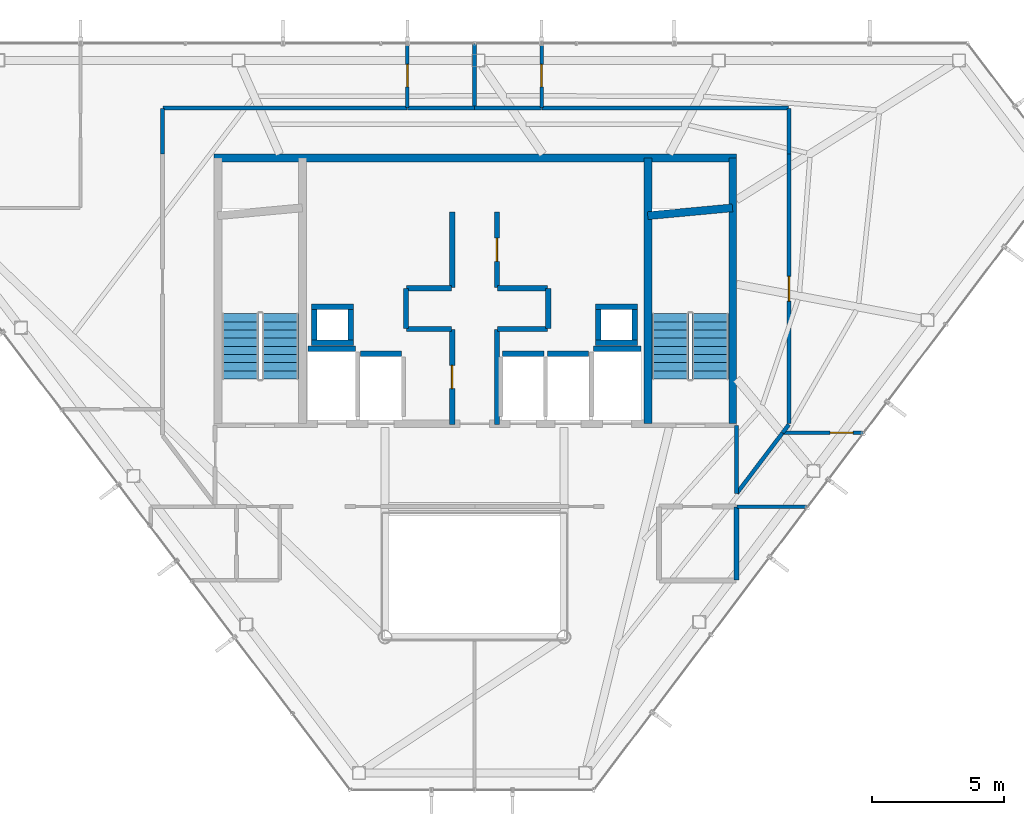
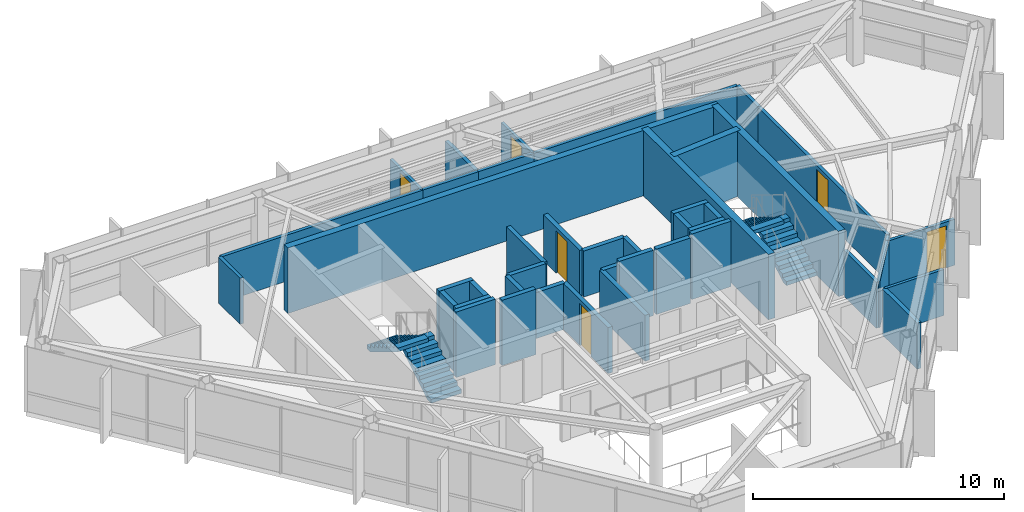
# One storey, part 22 of 24: 43 walls, 6 doors, 4 stair flights, 6 openings, 2 elements without a shape of their own.
"""IFC4 building model written with IfcOpenShell, lengths in metres."""

from ifc_helpers import new_model, si_unit, direction, frame, frame_2d, origin, place, context, subcontext, project, spatial, polyline, rectangle, outline, extrude, material, layer, layer_set, type_object, element, fill, aggregate, save


model = new_model("IFC4")

# Units and contexts
model_context = context("Model", 3, precision=1e-05, world=origin(), true_north=direction((0.0, 1.0)))
body_context = subcontext(model_context, "Body", "Model", "MODEL_VIEW")
ifc_project = project(units=[si_unit("LENGTHUNIT", "METRE"), si_unit("AREAUNIT", "SQUARE_METRE"), si_unit("VOLUMEUNIT", "CUBIC_METRE"), si_unit("PLANEANGLEUNIT", "RADIAN"), si_unit("MASSUNIT", "GRAM", prefix="KILO")], contexts=[model_context])

# Site, building, storey
site_placement = place(None, origin())
site = spatial("IfcSite", under=ifc_project, at=site_placement, CompositionType="ELEMENT")
building_placement = place(site_placement, origin())
building = spatial("IfcBuilding", under=site, at=building_placement, Name="Zarrinselat Tower", CompositionType="ELEMENT")
storey_placement = place(building_placement, frame((0.0, 0.0, 272.0)))
storey = spatial("IfcBuildingStorey", under=building, at=storey_placement, Name="L69", CompositionType="ELEMENT", Elevation=272.0)

# Walls
ifc_material_1 = material(Name="Fire-Rated Gypsum Board Partition", Category="gypsum")
ifc_layer_1 = layer(ifc_material_1, 0.1650390625)
ifc_layer_set_1 = layer_set([ifc_layer_1], Name="Fire-Rated Gypsum Board Partition")
wall_type_1 = type_object("IfcWallType", Name="WAL-PART-DEMISE", PredefinedType="PARTITIONING", material=ifc_layer_set_1)
wall_1_placement = place(storey_placement, frame((38.39990234375, 45.31005859375, 0.0), z_axis=(0.0, 0.0, 1.0), x_axis=(0.0, 1.0, 0.0)))
element("IfcWall", 1, at=wall_1_placement, inside=storey, type_object=wall_type_1, Name="L69 Partition Wall 49", PredefinedType="PARTITIONING", context=body_context, shape_type="SweptSolid", body=[
    extrude(rectangle(XDim=2.425048828125, YDim=0.1650390625, at=frame_2d((1.21240234375, 0.0))), origin(), (0.0, 0.0, 1.0), 2.235107421875),
])
ifc_material_2 = material(Name="Concrete C40/50", Category="concrete")
ifc_layer_2 = layer(ifc_material_2, 0.18994140625)
ifc_layer_set_2 = layer_set([ifc_layer_2], Name="Concrete C40/50")
wall_type_2 = type_object("IfcWallType", Name="WAL-PART-EI120", PredefinedType="PARTITIONING", material=ifc_layer_set_2)
wall_2_placement = place(storey_placement, frame((48.35009765625, 27.3701171875, 0.0), z_axis=(0.0, 0.0, 1.0), x_axis=(0.0, 1.0, 0.0)))
element("IfcWall", 2, at=wall_2_placement, inside=storey, type_object=wall_type_2, Name="L69 Partition Wall 21", PredefinedType="PARTITIONING", context=body_context, shape_type="SweptSolid", body=[
    extrude(rectangle(XDim=2.759765625, YDim=0.18994140625, at=frame_2d((1.3798828125, 0.0))), origin(), (0.0, 0.0, 1.0), 2.235107421875),
])
ifc_material_3 = material(Name="Fire-Rated Gypsum Board Partition", Category="gypsum")
ifc_layer_3 = layer(ifc_material_3, 0.14990234375)
ifc_layer_set_3 = layer_set([ifc_layer_3], Name="Fire-Rated Gypsum Board Partition")
wall_type_3 = type_object("IfcWallType", Name="WAL-PART-EI60", PredefinedType="PARTITIONING", material=ifc_layer_set_3)
wall_3_placement = place(storey_placement, frame((48.35009765625, 30.642578125, 0.0), z_axis=(0.0, 0.0, 1.0), x_axis=(0.0, 1.0, 0.0)))
element("IfcWall", 3, at=wall_3_placement, inside=storey, type_object=wall_type_3, Name="L69 Partition Wall 13", PredefinedType="PARTITIONING", context=body_context, shape_type="SweptSolid", body=[
    extrude(rectangle(XDim=2.58740234375, YDim=0.14990234375, at=frame_2d((1.293701171875, 0.0))), origin(), (0.0, 0.0, 1.0), 2.235107421875),
])
wall_4_placement = place(storey_placement, frame((26.550048828125, 43.550048828125, 0.0), z_axis=(0.0, 0.0, 1.0), x_axis=(0.0, 1.0, 0.0)))
element("IfcWall", 4, at=wall_4_placement, inside=storey, type_object=wall_type_3, Name="L69 Partition Wall 23", PredefinedType="PARTITIONING", context=body_context, shape_type="SweptSolid", body=[
    extrude(rectangle(XDim=1.719970703125, YDim=0.14990234375, at=frame_2d((0.85986328125, 0.0))), origin(), (0.0, 0.0, 1.0), 2.235107421875),
])
wall_5_placement = place(storey_placement, frame((26.570068359375, 45.2900390625, 0.0), z_axis=(0.0, 0.0, 1.0), x_axis=(1.0, 0.0, 0.0)))
element("IfcWall", 5, at=wall_5_placement, inside=storey, type_object=wall_type_3, Name="L69 Partition Wall 24", PredefinedType="PARTITIONING", context=body_context, shape_type="SweptSolid", body=[
    extrude(rectangle(XDim=9.27490234375, YDim=0.14990234375, at=frame_2d((4.637451171875, 0.0))), origin(), (0.0, 0.0, 1.0), 2.235107421875),
])
wall_6_placement = place(storey_placement, frame((35.85498046875, 45.2900390625, 0.0), z_axis=(0.0, 0.0, 1.0), x_axis=(1.0, 0.0, 0.0)))
element("IfcWall", 6, at=wall_6_placement, inside=storey, type_object=wall_type_3, Name="L69 Partition Wall 25", PredefinedType="PARTITIONING", context=body_context, shape_type="SweptSolid", body=[
    extrude(rectangle(XDim=2.5400390625, YDim=0.14990234375, at=frame_2d((1.27001953125, 0.0))), origin(), (0.0, 0.0, 1.0), 2.235107421875),
])
wall_7_placement = place(storey_placement, frame((40.955078125, 45.2900390625, 0.0), z_axis=(0.0, 0.0, 1.0), x_axis=(1.0, 0.0, 0.0)))
element("IfcWall", 7, at=wall_7_placement, inside=storey, type_object=wall_type_3, Name="L69 Partition Wall 28", PredefinedType="PARTITIONING", context=body_context, shape_type="SweptSolid", body=[
    extrude(rectangle(XDim=9.375, YDim=0.14990234375, at=frame_2d((4.6875, 0.0))), origin(), (0.0, 0.0, 1.0), 2.235107421875),
])
wall_8_placement = place(storey_placement, frame((50.35009765625, 43.550048828125, 0.0), z_axis=(0.0, 0.0, 1.0), x_axis=(0.0, 1.0, 0.0)))
element("IfcWall", 8, at=wall_8_placement, inside=storey, type_object=wall_type_3, Name="L69 Partition Wall 29", PredefinedType="PARTITIONING", context=body_context, shape_type="SweptSolid", body=[
    extrude(rectangle(XDim=1.719970703125, YDim=0.14990234375, at=frame_2d((0.85986328125, 0.0))), origin(), (0.0, 0.0, 1.0), 2.235107421875),
])

# Wall, opening, door
wall_9_placement = place(storey_placement, frame((50.35009765625, 33.30224609375, 0.0), z_axis=(0.0, 0.0, 1.0), x_axis=(0.0, 1.0, 0.0)))
wall_9 = element("IfcWall", 9, at=wall_9_placement, inside=storey, type_object=wall_type_3, Name="L69 Partition Wall 30", PredefinedType="PARTITIONING", context=body_context, shape_type="SweptSolid", body=[
    extrude(rectangle(XDim=10.247802734375, YDim=0.14990234375, at=frame_2d((5.1240234375, 0.0))), origin(), (0.0, 0.0, 1.0), 2.235107421875),
])
opening_1_placement = place(wall_9_placement, frame((4.65380859375, 0.0, 0.0)))
opening_1 = element("IfcOpeningElement", 10, at=opening_1_placement, cuts=wall_9, Name="Opening ID-04", PredefinedType="OPENING", context=body_context, shape_type="SweptSolid", body=[
    extrude(rectangle(XDim=0.93994140625, YDim=2.050048828125, at=frame_2d((0.469970703125, 1.02490234375))), frame((0.0, 0.0849609375, 0.0), z_axis=(0.0, -1.0, 0.0), x_axis=(1.0, 0.0, 0.0)), (0.0, 0.0, 1.0), 0.169921875),
])
ifc_material_4 = material(Name="Fire-Rated Gypsum Board Partition")
door_type_1 = type_object("IfcDoorType", Name="DR-INT-FD30-ENT", OperationType="NOTDEFINED", PredefinedType="DOOR", material=ifc_material_4)
door_1_placement = place(opening_1_placement, origin())
door_1 = element("IfcDoor", 11, at=door_1_placement, inside=storey, type_object=door_type_1, Name="L69 Interior Door P30", OperationType="SINGLE_SWING_LEFT", OverallHeight=2.050048828125, OverallWidth=0.93994140625, PredefinedType="DOOR", context=body_context, shape_type="SweptSolid", body=[
    extrude(rectangle(XDim=0.93994140625, YDim=2.050048828125, at=frame_2d((0.469970703125, 1.02490234375))), frame((0.0, 0.02490234375, 0.0), z_axis=(0.0, -1.0, 0.0), x_axis=(1.0, 0.0, 0.0)), (0.0, 0.0, 1.0), 0.050048828125),
])
fill(opening_1, door_1)

# Walls
wall_10_placement = place(storey_placement, frame((50.106689453125, 32.96044921875, 0.0), z_axis=(0.0, 0.0, 1.0), x_axis=(0.602950173728, 0.797778846549, 0.0)))
element("IfcWall", 12, at=wall_10_placement, inside=storey, type_object=wall_type_3, Name="L69 Partition Wall 31", PredefinedType="PARTITIONING", context=body_context, shape_type="SweptSolid", body=[
    extrude(rectangle(XDim=0.383544921875, YDim=0.14990234375, at=frame_2d((0.19189453125, 0.0))), origin(), (0.0, 0.0, 1.0), 2.235107421875),
])
wall_11_placement = place(storey_placement, frame((48.362060546875, 30.653564453125, 0.0), z_axis=(0.0, 0.0, 1.0), x_axis=(0.603189668488, 0.79759778324, 0.0)))
element("IfcWall", 13, at=wall_11_placement, inside=storey, type_object=wall_type_3, Name="L69 Partition Wall 32", PredefinedType="PARTITIONING", context=body_context, shape_type="SweptSolid", body=[
    extrude(rectangle(XDim=2.8857421875, YDim=0.14990234375, at=frame_2d((1.44287109375, 0.0))), origin(), (0.0, 0.0, 1.0), 2.235107421875),
])
wall_12_placement = place(storey_placement, frame((38.405029296875, 45.2900390625, 0.0), z_axis=(0.0, 0.0, 1.0), x_axis=(1.0, 0.0, 0.0)))
element("IfcWall", 14, at=wall_12_placement, inside=storey, type_object=wall_type_3, Name="L69 Partition Wall 33", PredefinedType="PARTITIONING", context=body_context, shape_type="SweptSolid", body=[
    extrude(rectangle(XDim=2.5400390625, YDim=0.14990234375, at=frame_2d((1.27001953125, 0.0))), origin(), (0.0, 0.0, 1.0), 2.235107421875),
])

# Wall, opening, door
ifc_material_5 = material(Name="Concrete C40/50", Category="concrete")
ifc_layer_4 = layer(ifc_material_5, 0.199951171875)
ifc_layer_set_4 = layer_set([ifc_layer_4], Name="Concrete C40/50")
wall_type_4 = type_object("IfcWallType", Name="WAL-PART-PLANT", PredefinedType="PARTITIONING", material=ifc_layer_set_4)
wall_13_placement = place(storey_placement, frame((37.550048828125, 33.264892578125, 0.0), z_axis=(0.0, 0.0, 1.0), x_axis=(0.0, 1.0, 0.0)))
wall_13 = element("IfcWall", 15, at=wall_13_placement, inside=storey, type_object=wall_type_4, Name="L69 Partition Wall 1", PredefinedType="PARTITIONING", context=body_context, shape_type="SweptSolid", body=[
    extrude(rectangle(XDim=3.614990234375, YDim=0.199951171875, at=frame_2d((1.8076171875, 0.0))), origin(), (0.0, 0.0, 1.0), 2.235107421875),
])
opening_2_placement = place(wall_13_placement, frame((1.367431640625, 0.0, 0.0)))
opening_2 = element("IfcOpeningElement", 16, at=opening_2_placement, cuts=wall_13, Name="Opening ID-03", PredefinedType="OPENING", context=body_context, shape_type="SweptSolid", body=[
    extrude(rectangle(XDim=0.8798828125, YDim=2.050048828125, at=frame_2d((0.43994140625, 1.02490234375))), frame((0.0, 0.10986328125, 0.0), z_axis=(0.0, -1.0, 0.0), x_axis=(1.0, 0.0, 0.0)), (0.0, 0.0, 1.0), 0.219970703125),
])
ifc_material_6 = material(Name="Steel S355J2", Category="steel")
door_type_2 = type_object("IfcDoorType", Name="DR-INT-FD60-S", OperationType="NOTDEFINED", PredefinedType="DOOR", material=ifc_material_6)
door_2_placement = place(opening_2_placement, origin())
door_2 = element("IfcDoor", 17, at=door_2_placement, inside=storey, type_object=door_type_2, Name="L69 Interior Door P1", OperationType="SINGLE_SWING_LEFT", OverallHeight=2.050048828125, OverallWidth=0.8798828125, PredefinedType="DOOR", context=body_context, shape_type="SweptSolid", body=[
    extrude(rectangle(XDim=0.8798828125, YDim=2.050048828125, at=frame_2d((0.43994140625, 1.02490234375))), frame((0.0, 0.02490234375, 0.0), z_axis=(0.0, -1.0, 0.0), x_axis=(1.0, 0.0, 0.0)), (0.0, 0.0, 1.0), 0.050048828125),
])
fill(opening_2, door_2)

# Walls
wall_14_placement = place(storey_placement, frame((35.820068359375, 36.89990234375, 0.0), z_axis=(0.0, 0.0, 1.0), x_axis=(1.0, 0.0, 0.0)))
element("IfcWall", 18, at=wall_14_placement, inside=storey, type_object=wall_type_4, Name="L69 Partition Wall 2", PredefinedType="PARTITIONING", context=body_context, shape_type="SweptSolid", body=[
    extrude(rectangle(XDim=1.7099609375, YDim=0.199951171875, at=frame_2d((0.85498046875, 0.0))), origin(), (0.0, 0.0, 1.0), 2.235107421875),
])
wall_15_placement = place(storey_placement, frame((35.800048828125, 36.919921875, 0.0), z_axis=(0.0, 0.0, 1.0), x_axis=(0.0, 1.0, 0.0)))
element("IfcWall", 19, at=wall_15_placement, inside=storey, type_object=wall_type_4, Name="L69 Partition Wall 3", PredefinedType="PARTITIONING", context=body_context, shape_type="SweptSolid", body=[
    extrude(rectangle(XDim=1.510009765625, YDim=0.199951171875, at=frame_2d((0.7548828125, 0.0))), origin(), (0.0, 0.0, 1.0), 2.235107421875),
])
wall_16_placement = place(storey_placement, frame((35.820068359375, 38.449951171875, 0.0), z_axis=(0.0, 0.0, 1.0), x_axis=(1.0, 0.0, 0.0)))
element("IfcWall", 20, at=wall_16_placement, inside=storey, type_object=wall_type_4, Name="L69 Partition Wall 4", PredefinedType="PARTITIONING", context=body_context, shape_type="SweptSolid", body=[
    extrude(rectangle(XDim=1.7099609375, YDim=0.199951171875, at=frame_2d((0.85498046875, 0.0))), origin(), (0.0, 0.0, 1.0), 2.235107421875),
])
wall_17_placement = place(storey_placement, frame((37.550048828125, 38.469970703125, 0.0), z_axis=(0.0, 0.0, 1.0), x_axis=(0.0, 1.0, 0.0)))
element("IfcWall", 21, at=wall_17_placement, inside=storey, type_object=wall_type_4, Name="L69 Partition Wall 5", PredefinedType="PARTITIONING", context=body_context, shape_type="SweptSolid", body=[
    extrude(rectangle(XDim=2.880126953125, YDim=0.199951171875, at=frame_2d((1.43994140625, 0.0))), origin(), (0.0, 0.0, 1.0), 2.235107421875),
])

# Wall, opening, door
wall_18_placement = place(storey_placement, frame((39.25, 38.469970703125, 0.0), z_axis=(0.0, 0.0, 1.0), x_axis=(0.0, 1.0, 0.0)))
wall_18 = element("IfcWall", 22, at=wall_18_placement, inside=storey, type_object=wall_type_4, Name="L69 Partition Wall 6", PredefinedType="PARTITIONING", context=body_context, shape_type="SweptSolid", body=[
    extrude(rectangle(XDim=2.880126953125, YDim=0.199951171875, at=frame_2d((1.43994140625, 0.0))), origin(), (0.0, 0.0, 1.0), 2.235107421875),
])
opening_3_placement = place(wall_18_placement, frame((1.0, 0.0, 0.0)))
opening_3 = element("IfcOpeningElement", 23, at=opening_3_placement, cuts=wall_18, Name="Opening ID-03", PredefinedType="OPENING", context=body_context, shape_type="SweptSolid", body=[
    extrude(rectangle(XDim=0.8798828125, YDim=2.050048828125, at=frame_2d((0.43994140625, 1.02490234375))), frame((0.0, 0.10986328125, 0.0), z_axis=(0.0, -1.0, 0.0), x_axis=(1.0, 0.0, 0.0)), (0.0, 0.0, 1.0), 0.219970703125),
])
door_3_placement = place(opening_3_placement, origin())
door_3 = element("IfcDoor", 24, at=door_3_placement, inside=storey, type_object=door_type_2, Name="L69 Interior Door P6", OperationType="SINGLE_SWING_RIGHT", OverallHeight=2.050048828125, OverallWidth=0.8798828125, PredefinedType="DOOR", context=body_context, shape_type="SweptSolid", body=[
    extrude(rectangle(XDim=0.8798828125, YDim=2.050048828125, at=frame_2d((0.43994140625, 1.02490234375))), frame((0.0, 0.02490234375, 0.0), z_axis=(0.0, -1.0, 0.0), x_axis=(1.0, 0.0, 0.0)), (0.0, 0.0, 1.0), 0.050048828125),
])
fill(opening_3, door_3)

# Walls
wall_19_placement = place(storey_placement, frame((39.27001953125, 38.449951171875, 0.0), z_axis=(0.0, 0.0, 1.0), x_axis=(1.0, 0.0, 0.0)))
element("IfcWall", 25, at=wall_19_placement, inside=storey, type_object=wall_type_4, Name="L69 Partition Wall 7", PredefinedType="PARTITIONING", context=body_context, shape_type="SweptSolid", body=[
    extrude(rectangle(XDim=1.909912109375, YDim=0.199951171875, at=frame_2d((0.955078125, 0.0))), origin(), (0.0, 0.0, 1.0), 2.235107421875),
])
wall_20_placement = place(storey_placement, frame((41.199951171875, 36.919921875, 0.0), z_axis=(0.0, 0.0, 1.0), x_axis=(0.0, 1.0, 0.0)))
element("IfcWall", 26, at=wall_20_placement, inside=storey, type_object=wall_type_4, Name="L69 Partition Wall 8", PredefinedType="PARTITIONING", context=body_context, shape_type="SweptSolid", body=[
    extrude(rectangle(XDim=1.510009765625, YDim=0.199951171875, at=frame_2d((0.7548828125, 0.0))), origin(), (0.0, 0.0, 1.0), 2.235107421875),
])
wall_21_placement = place(storey_placement, frame((39.27001953125, 36.89990234375, 0.0), z_axis=(0.0, 0.0, 1.0), x_axis=(1.0, 0.0, 0.0)))
element("IfcWall", 27, at=wall_21_placement, inside=storey, type_object=wall_type_4, Name="L69 Partition Wall 9", PredefinedType="PARTITIONING", context=body_context, shape_type="SweptSolid", body=[
    extrude(rectangle(XDim=1.909912109375, YDim=0.199951171875, at=frame_2d((0.955078125, 0.0))), origin(), (0.0, 0.0, 1.0), 2.235107421875),
])
wall_22_placement = place(storey_placement, frame((39.25, 33.264892578125, 0.0), z_axis=(0.0, 0.0, 1.0), x_axis=(0.0, 1.0, 0.0)))
element("IfcWall", 28, at=wall_22_placement, inside=storey, type_object=wall_type_4, Name="L69 Partition Wall 10", PredefinedType="PARTITIONING", context=body_context, shape_type="SweptSolid", body=[
    extrude(rectangle(XDim=3.614990234375, YDim=0.199951171875, at=frame_2d((1.8076171875, 0.0))), origin(), (0.0, 0.0, 1.0), 2.235107421875),
])
ifc_material_7 = material(Name="Fire-Rated Gypsum Board Partition", Category="gypsum")
ifc_layer_5 = layer(ifc_material_7, 0.135009765625)
ifc_layer_set_5 = layer_set([ifc_layer_5], Name="Fire-Rated Gypsum Board Partition")
wall_type_5 = type_object("IfcWallType", Name="WAL-PART-WET", PredefinedType="PARTITIONING", material=ifc_layer_set_5)
wall_23_placement = place(storey_placement, frame((48.3701171875, 30.14990234375, 0.0), z_axis=(0.0, 0.0, 1.0), x_axis=(1.0, 0.0, 0.0)))
element("IfcWall", 29, at=wall_23_placement, inside=storey, type_object=wall_type_5, Name="L69 Partition Wall 42", PredefinedType="PARTITIONING", context=body_context, shape_type="SweptSolid", body=[
    extrude(rectangle(XDim=2.680419921875, YDim=0.135009765625, at=frame_2d((1.34033203125, 0.0))), origin(), (0.0, 0.0, 1.0), 2.235107421875),
])

# Wall, opening, door
wall_24_placement = place(storey_placement, frame((35.85009765625, 45.31005859375, 0.0), z_axis=(0.0, 0.0, 1.0), x_axis=(0.0, 1.0, 0.0)))
wall_24 = element("IfcWall", 30, at=wall_24_placement, inside=storey, type_object=wall_type_5, Name="L69 Partition Wall 44", PredefinedType="PARTITIONING", context=body_context, shape_type="SweptSolid", body=[
    extrude(rectangle(XDim=2.425048828125, YDim=0.135009765625, at=frame_2d((1.21240234375, 0.0))), origin(), (0.0, 0.0, 1.0), 2.235107421875),
])
opening_4_placement = place(wall_24_placement, frame((0.782470703125, 0.0, 0.0)))
opening_4 = element("IfcOpeningElement", 31, at=opening_4_placement, cuts=wall_24, Name="Opening ID-06", PredefinedType="OPENING", context=body_context, shape_type="SweptSolid", body=[
    extrude(rectangle(XDim=0.860107421875, YDim=2.050048828125, at=frame_2d((0.43017578125, 1.02490234375))), frame((0.0, 0.077392578125, 0.0), z_axis=(0.0, -1.0, 0.0), x_axis=(1.0, 0.0, 0.0)), (0.0, 0.0, 1.0), 0.155029296875),
])
ifc_material_8 = material(Name="Extruded Aluminium Alloy EN AW-6063 T6", Category="aluminium")
door_type_3 = type_object("IfcDoorType", Name="DR-INT-WET-900", OperationType="NOTDEFINED", PredefinedType="DOOR", material=ifc_material_8)
door_4_placement = place(opening_4_placement, origin())
door_4 = element("IfcDoor", 32, at=door_4_placement, inside=storey, type_object=door_type_3, Name="L69 Interior Door P44", OperationType="SINGLE_SWING_RIGHT", OverallHeight=2.050048828125, OverallWidth=0.860107421875, PredefinedType="DOOR", context=body_context, shape_type="SweptSolid", body=[
    extrude(rectangle(XDim=0.860107421875, YDim=2.050048828125, at=frame_2d((0.43017578125, 1.02490234375))), frame((0.0, 0.02490234375, 0.0), z_axis=(0.0, -1.0, 0.0), x_axis=(1.0, 0.0, 0.0)), (0.0, 0.0, 1.0), 0.050048828125),
])
fill(opening_4, door_4)

wall_25_placement = place(storey_placement, frame((50.12353515625, 32.956298828125, 0.0), z_axis=(0.0, 0.0, 1.0), x_axis=(1.0, 0.0, 0.0)))
wall_25 = element("IfcWall", 33, at=wall_25_placement, inside=storey, type_object=wall_type_5, Name="L69 Partition Wall 50", PredefinedType="PARTITIONING", context=body_context, shape_type="SweptSolid", body=[
    extrude(rectangle(XDim=3.04931640625, YDim=0.135009765625, at=frame_2d((1.524658203125, 0.0))), origin(), (0.0, 0.0, 1.0), 2.235107421875),
])
opening_5_placement = place(wall_25_placement, frame((1.780029296875, 0.0, 0.0)))
opening_5 = element("IfcOpeningElement", 34, at=opening_5_placement, cuts=wall_25, Name="Opening ID-03", PredefinedType="OPENING", context=body_context, shape_type="SweptSolid", body=[
    extrude(rectangle(XDim=0.8798828125, YDim=2.050048828125, at=frame_2d((0.43994140625, 1.02490234375))), frame((0.0, 0.077392578125, 0.0), z_axis=(0.0, -1.0, 0.0), x_axis=(1.0, 0.0, 0.0)), (0.0, 0.0, 1.0), 0.155029296875),
])
door_5_placement = place(opening_5_placement, origin())
door_5 = element("IfcDoor", 35, at=door_5_placement, inside=storey, type_object=door_type_2, Name="L69 Interior Door P50", OperationType="SINGLE_SWING_LEFT", OverallHeight=2.050048828125, OverallWidth=0.8798828125, PredefinedType="DOOR", context=body_context, shape_type="SweptSolid", body=[
    extrude(rectangle(XDim=0.8798828125, YDim=2.050048828125, at=frame_2d((0.43994140625, 1.02490234375))), frame((0.0, 0.02490234375, 0.0), z_axis=(0.0, -1.0, 0.0), x_axis=(1.0, 0.0, 0.0)), (0.0, 0.0, 1.0), 0.050048828125),
])
fill(opening_5, door_5)

wall_26_placement = place(storey_placement, frame((40.949951171875, 45.31005859375, 0.0), z_axis=(0.0, 0.0, 1.0), x_axis=(0.0, 1.0, 0.0)))
wall_26 = element("IfcWall", 36, at=wall_26_placement, inside=storey, type_object=wall_type_5, Name="L69 Partition Wall 51", PredefinedType="PARTITIONING", context=body_context, shape_type="SweptSolid", body=[
    extrude(rectangle(XDim=2.425048828125, YDim=0.135009765625, at=frame_2d((1.21240234375, 0.0))), origin(), (0.0, 0.0, 1.0), 2.235107421875),
])
opening_6_placement = place(wall_26_placement, frame((0.782470703125, 0.0, 0.0)))
opening_6 = element("IfcOpeningElement", 37, at=opening_6_placement, cuts=wall_26, Name="Opening ID-06", PredefinedType="OPENING", context=body_context, shape_type="SweptSolid", body=[
    extrude(rectangle(XDim=0.860107421875, YDim=2.050048828125, at=frame_2d((0.43017578125, 1.02490234375))), frame((0.0, 0.077392578125, 0.0), z_axis=(0.0, -1.0, 0.0), x_axis=(1.0, 0.0, 0.0)), (0.0, 0.0, 1.0), 0.155029296875),
])
door_6_placement = place(opening_6_placement, origin())
door_6 = element("IfcDoor", 38, at=door_6_placement, inside=storey, type_object=door_type_3, Name="L69 Interior Door P51", OperationType="SINGLE_SWING_RIGHT", OverallHeight=2.050048828125, OverallWidth=0.860107421875, PredefinedType="DOOR", context=body_context, shape_type="SweptSolid", body=[
    extrude(rectangle(XDim=0.860107421875, YDim=2.050048828125, at=frame_2d((0.43017578125, 1.02490234375))), frame((0.0, 0.02490234375, 0.0), z_axis=(0.0, -1.0, 0.0), x_axis=(1.0, 0.0, 0.0)), (0.0, 0.0, 1.0), 0.050048828125),
])
fill(opening_6, door_6)

# Walls
ifc_material_9 = material(Name="Concrete C40/50", Category="concrete")
ifc_layer_6 = layer(ifc_material_9, 0.2099609375)
ifc_layer_set_6 = layer_set([ifc_layer_6], Name="Concrete C40/50")
wall_type_6 = type_object("IfcWallType", Name="WAL-SHAFT-210", PredefinedType="SOLIDWALL", material=ifc_layer_set_6)
wall_27_placement = place(storey_placement, frame((32.080078125, 36.155029296875, 0.0), z_axis=(0.0, 0.0, 1.0), x_axis=(1.0, 0.0, 0.0)))
element("IfcWall", 39, at=wall_27_placement, inside=storey, type_object=wall_type_6, Name="L69 Lift FFL1 North Shaft Wall", PredefinedType="SOLIDWALL", context=body_context, shape_type="SweptSolid", body=[
    extrude(rectangle(XDim=1.7998046875, YDim=0.2099609375, at=frame_2d((0.89990234375, 0.0))), origin(), (0.0, 0.0, 1.0), 3.179931640625),
])
wall_28_placement = place(storey_placement, frame((42.919921875, 36.155029296875, 0.0), z_axis=(0.0, 0.0, 1.0), x_axis=(1.0, 0.0, 0.0)))
element("IfcWall", 40, at=wall_28_placement, inside=storey, type_object=wall_type_6, Name="L69 Lift FFL2 North Shaft Wall", PredefinedType="SOLIDWALL", context=body_context, shape_type="SweptSolid", body=[
    extrude(rectangle(XDim=1.800048828125, YDim=0.2099609375, at=frame_2d((0.89990234375, 0.0))), origin(), (0.0, 0.0, 1.0), 3.179931640625),
])
for number, where, z_axis, x_axis, name in (
    (41, (39.469970703125, 35.955078125, 0.0), (0.0, 0.0, 1.0), (1.0, 0.0, 0.0), "L69 Lift PL8 North Shaft Wall"),
    (42, (41.169921875, 35.955078125, 0.0), (0.0, 0.0, 1.0), (1.0, 0.0, 0.0), "L69 Lift PL9 North Shaft Wall"),
):
    element("IfcWall", number, at=place(storey_placement, frame(where, z_axis=z_axis, x_axis=x_axis)), inside=storey, type_object=wall_type_6, Name=name, PredefinedType="SOLIDWALL", context=body_context, shape_type="SweptSolid", body=[
        extrude(rectangle(XDim=1.56005859375, YDim=0.2099609375, at=frame_2d((0.780029296875, 0.0))), origin(), (0.0, 0.0, 1.0), 3.179931640625),
    ])
wall_29_placement = place(storey_placement, frame((34.070068359375, 35.955078125, 0.0), z_axis=(0.0, 0.0, 1.0), x_axis=(1.0, 0.0, 0.0)))
element("IfcWall", 43, at=wall_29_placement, inside=storey, type_object=wall_type_6, Name="L69 Lift PL10 North Shaft Wall", PredefinedType="SOLIDWALL", context=body_context, shape_type="SweptSolid", body=[
    extrude(rectangle(XDim=1.559814453125, YDim=0.2099609375, at=frame_2d((0.77978515625, 0.0))), origin(), (0.0, 0.0, 1.0), 3.179931640625),
])
for number, where, z_axis, x_axis, name in (
    (44, (32.2099609375, 36.375, 0.0), (0.0, 0.0, 1.0), (1.0, 0.0, 0.0), "L69 Core Riser RSR-W S Shaft Wall"),
    (45, (32.2099609375, 37.7451171875, 0.0), (0.0, 0.0, 1.0), (1.0, 0.0, 0.0), "L69 Core Riser RSR-W N Shaft Wall"),
):
    element("IfcWall", number, at=place(storey_placement, frame(where, z_axis=z_axis, x_axis=x_axis)), inside=storey, type_object=wall_type_6, Name=name, PredefinedType="SOLIDWALL", context=body_context, shape_type="SweptSolid", body=[
        extrude(rectangle(XDim=1.60009765625, YDim=0.2099609375, at=frame_2d((0.800048828125, 0.0))), origin(), (0.0, 0.0, 1.0), 3.179931640625),
    ])
for number, where, z_axis, x_axis, name in (
    (46, (32.31494140625, 36.485107421875, 0.0), (0.0, 0.0, 1.0), (0.0, 1.0, 0.0), "L69 Core Riser RSR-W W Shaft Wall"),
    (47, (33.705078125, 36.485107421875, 0.0), (0.0, 0.0, 1.0), (0.0, 1.0, 0.0), "L69 Core Riser RSR-W E Shaft Wall"),
):
    element("IfcWall", number, at=place(storey_placement, frame(where, z_axis=z_axis, x_axis=x_axis)), inside=storey, type_object=wall_type_6, Name=name, PredefinedType="SOLIDWALL", context=body_context, shape_type="SweptSolid", body=[
        extrude(rectangle(XDim=1.14990234375, YDim=0.2099609375, at=frame_2d((0.574951171875, 0.0))), origin(), (0.0, 0.0, 1.0), 3.179931640625),
    ])
for number, where, z_axis, x_axis, name in (
    (48, (42.989990234375, 36.375, 0.0), (0.0, 0.0, 1.0), (1.0, 0.0, 0.0), "L69 Core Riser RSR-E S Shaft Wall"),
    (49, (42.989990234375, 37.7451171875, 0.0), (0.0, 0.0, 1.0), (1.0, 0.0, 0.0), "L69 Core Riser RSR-E N Shaft Wall"),
):
    element("IfcWall", number, at=place(storey_placement, frame(where, z_axis=z_axis, x_axis=x_axis)), inside=storey, type_object=wall_type_6, Name=name, PredefinedType="SOLIDWALL", context=body_context, shape_type="SweptSolid", body=[
        extrude(rectangle(XDim=1.60009765625, YDim=0.2099609375, at=frame_2d((0.800048828125, 0.0))), origin(), (0.0, 0.0, 1.0), 3.179931640625),
    ])
for number, where, z_axis, x_axis, name in (
    (50, (43.094970703125, 36.485107421875, 0.0), (0.0, 0.0, 1.0), (0.0, 1.0, 0.0), "L69 Core Riser RSR-E W Shaft Wall"),
    (51, (44.485107421875, 36.485107421875, 0.0), (0.0, 0.0, 1.0), (0.0, 1.0, 0.0), "L69 Core Riser RSR-E E Shaft Wall"),
):
    element("IfcWall", number, at=place(storey_placement, frame(where, z_axis=z_axis, x_axis=x_axis)), inside=storey, type_object=wall_type_6, Name=name, PredefinedType="SOLIDWALL", context=body_context, shape_type="SweptSolid", body=[
        extrude(rectangle(XDim=1.14990234375, YDim=0.2099609375, at=frame_2d((0.574951171875, 0.0))), origin(), (0.0, 0.0, 1.0), 3.179931640625),
    ])
ifc_material_10 = material(Name="Concrete C40/50", Category="concrete")
ifc_layer_7 = layer(ifc_material_10, 0.300048828125)
ifc_layer_set_7 = layer_set([ifc_layer_7], Name="Concrete C40/50")
wall_type_7 = type_object("IfcWallType", Name="WAL-SHEAR-300", PredefinedType="SHEAR", material=ifc_layer_set_7)
wall_30_placement = place(storey_placement, frame((28.5, 43.39990234375, 0.0), z_axis=(0.0, 0.0, 1.0), x_axis=(1.0, 0.0, 0.0)))
element("IfcWall", 52, at=wall_30_placement, inside=storey, type_object=wall_type_7, Name="L69 North Core Shear Wall", PredefinedType="SHEAR", context=body_context, shape_type="SweptSolid", body=[
    extrude(rectangle(XDim=19.860107421875, YDim=0.300048828125, at=frame_2d((9.93017578125, 0.0))), origin(), (0.0, 0.0, 1.0), 3.179931640625),
])
for number, where, z_axis, x_axis, name in (
    (53, (44.989990234375, 33.300048828125, 0.0), (0.0, 0.0, 1.0), (0.0, 1.0, 0.0), "L69 Core Shear Wall ST2W"),
    (54, (48.2099609375, 33.300048828125, 0.0), (0.0, 0.0, 1.0), (0.0, 1.0, 0.0), "L69 Core Shear Wall E"),
):
    element("IfcWall", number, at=place(storey_placement, frame(where, z_axis=z_axis, x_axis=x_axis)), inside=storey, type_object=wall_type_7, Name=name, PredefinedType="SHEAR", context=body_context, shape_type="SweptSolid", body=[
        extrude(rectangle(XDim=10.099853515625, YDim=0.300048828125, at=frame_2d((5.0498046875, 0.0))), origin(), (0.0, 0.0, 1.0), 3.179931640625),
    ])
wall_31_placement = place(storey_placement, frame((44.97998046875, 41.199951171875, 0.0), z_axis=(0.0, 0.0, 1.0), x_axis=(0.995686468965, 0.09278176286, 0.0)))
element("IfcWall", 55, at=wall_31_placement, inside=storey, type_object=wall_type_7, Name="L69 Stair 2 North Shaft Wall", PredefinedType="SHEAR", context=body_context, shape_type="SweptSolid", body=[
    extrude(rectangle(XDim=3.23388671875, YDim=0.300048828125, at=frame_2d((1.616943359375, 0.0))), origin(), (0.0, 0.0, 1.0), 3.179931640625),
])

# Stair, stair flights
ifc_material_11 = material(Name="Concrete C40/50", Category="concrete")
stair_type = type_object("IfcStairType", Name="STR-CORE-155", PredefinedType="HALF_TURN_STAIR", material=ifc_material_11)
stair_1_placement = place(storey_placement, origin())
stair_1 = element("IfcStair", 56, at=stair_1_placement, inside=storey, type_object=stair_type, Name="L69 Core Exit Stair 1", PredefinedType="HALF_TURN_STAIR")
ifc_material_12 = material(Name="Concrete C40/50", Category="concrete")
stair_flight_type = type_object("IfcStairFlightType", Name="STR-FLT-155", PredefinedType="STRAIGHT", material=ifc_material_12)
stair_flight_1_placement = place(storey_placement, frame((31.02001953125, 35.0, 0.0), z_axis=(0.0, 0.0, 1.0), x_axis=(0.0, 1.0, 0.0)))
stair_flight_1 = element("IfcStairFlight", 57, at=stair_flight_1_placement, type_object=stair_flight_type, Name="ST-1 flight 1", NumberOfRisers=9, NumberOfTreads=8, PredefinedType="STRAIGHT", RiserHeight=0.188888889, TreadLength=0.31, context=body_context, shape_type="SweptSolid", body=[
    extrude(outline(polyline([(0.0, 0.0), (0.0, 0.18896484375), (0.31005859375, 0.18896484375), (0.31005859375, 0.377685546875), (0.6201171875, 0.377685546875), (0.6201171875, 0.566650390625), (0.929931640625, 0.566650390625), (0.929931640625, 0.755615234375), (1.239990234375, 0.755615234375), (1.239990234375, 0.9443359375), (1.550048828125, 0.9443359375), (1.550048828125, 1.13330078125), (1.860107421875, 1.13330078125), (1.860107421875, 1.322265625), (2.169921875, 1.322265625), (2.169921875, 1.51123046875), (2.47998046875, 1.51123046875), (2.47998046875, 1.699951171875), (2.47998046875, 1.335693359375), (0.2880859375, 0.0), (0.0, 0.0)])), frame((0.0, 0.699951171875, 0.0), z_axis=(0.0, -1.0, 0.0), x_axis=(1.0, 0.0, 0.0)), (0.0, 0.0, 1.0), 1.39990234375),
])
stair_flight_2_placement = place(storey_placement, frame((29.5, 37.47998046875, 1.699951171875), z_axis=(0.0, 0.0, 1.0), x_axis=(0.0, -1.0, 0.0)))
stair_flight_2 = element("IfcStairFlight", 58, at=stair_flight_2_placement, type_object=stair_flight_type, Name="ST-1 flight 2", NumberOfRisers=9, NumberOfTreads=8, PredefinedType="STRAIGHT", RiserHeight=0.188888889, TreadLength=0.31, context=body_context, shape_type="SweptSolid", body=[
    extrude(outline(polyline([(0.0, 0.0), (0.0, 0.18896484375), (0.31005859375, 0.18896484375), (0.31005859375, 0.377685546875), (0.6201171875, 0.377685546875), (0.6201171875, 0.566650390625), (0.929931640625, 0.566650390625), (0.929931640625, 0.755615234375), (1.239990234375, 0.755615234375), (1.239990234375, 0.9443359375), (1.550048828125, 0.9443359375), (1.550048828125, 1.13330078125), (1.860107421875, 1.13330078125), (1.860107421875, 1.322265625), (2.169921875, 1.322265625), (2.169921875, 1.51123046875), (2.47998046875, 1.51123046875), (2.47998046875, 1.699951171875), (2.47998046875, 1.335693359375), (0.2880859375, 0.0), (0.0, 0.0)])), frame((0.0, 0.699951171875, 0.0), z_axis=(0.0, -1.0, 0.0), x_axis=(1.0, 0.0, 0.0)), (0.0, 0.0, 1.0), 1.39990234375),
])
aggregate(stair_1, [stair_flight_1, stair_flight_2])

stair_2_placement = place(storey_placement, origin())
stair_2 = element("IfcStair", 59, at=stair_2_placement, inside=storey, type_object=stair_type, Name="L69 Core Exit Stair 2", PredefinedType="HALF_TURN_STAIR")
stair_flight_3_placement = place(storey_placement, frame((47.360107421875, 35.0, 0.0), z_axis=(0.0, 0.0, 1.0), x_axis=(0.0, 1.0, 0.0)))
stair_flight_3 = element("IfcStairFlight", 60, at=stair_flight_3_placement, type_object=stair_flight_type, Name="ST-2 flight 1", NumberOfRisers=9, NumberOfTreads=8, PredefinedType="STRAIGHT", RiserHeight=0.188888889, TreadLength=0.31, context=body_context, shape_type="SweptSolid", body=[
    extrude(outline(polyline([(0.0, 0.0), (0.0, 0.18896484375), (0.31005859375, 0.18896484375), (0.31005859375, 0.377685546875), (0.6201171875, 0.377685546875), (0.6201171875, 0.566650390625), (0.929931640625, 0.566650390625), (0.929931640625, 0.755615234375), (1.239990234375, 0.755615234375), (1.239990234375, 0.9443359375), (1.550048828125, 0.9443359375), (1.550048828125, 1.13330078125), (1.860107421875, 1.13330078125), (1.860107421875, 1.322265625), (2.169921875, 1.322265625), (2.169921875, 1.51123046875), (2.47998046875, 1.51123046875), (2.47998046875, 1.699951171875), (2.47998046875, 1.335693359375), (0.2880859375, 0.0), (0.0, 0.0)])), frame((0.0, 0.699951171875, 0.0), z_axis=(0.0, -1.0, 0.0), x_axis=(1.0, 0.0, 0.0)), (0.0, 0.0, 1.0), 1.39990234375),
])
stair_flight_4_placement = place(storey_placement, frame((45.840087890625, 37.47998046875, 1.699951171875), z_axis=(0.0, 0.0, 1.0), x_axis=(0.0, -1.0, 0.0)))
stair_flight_4 = element("IfcStairFlight", 61, at=stair_flight_4_placement, type_object=stair_flight_type, Name="ST-2 flight 2", NumberOfRisers=9, NumberOfTreads=8, PredefinedType="STRAIGHT", RiserHeight=0.188888889, TreadLength=0.31, context=body_context, shape_type="SweptSolid", body=[
    extrude(outline(polyline([(0.0, 0.0), (0.0, 0.18896484375), (0.31005859375, 0.18896484375), (0.31005859375, 0.377685546875), (0.6201171875, 0.377685546875), (0.6201171875, 0.566650390625), (0.929931640625, 0.566650390625), (0.929931640625, 0.755615234375), (1.239990234375, 0.755615234375), (1.239990234375, 0.9443359375), (1.550048828125, 0.9443359375), (1.550048828125, 1.13330078125), (1.860107421875, 1.13330078125), (1.860107421875, 1.322265625), (2.169921875, 1.322265625), (2.169921875, 1.51123046875), (2.47998046875, 1.51123046875), (2.47998046875, 1.699951171875), (2.47998046875, 1.335693359375), (0.2880859375, 0.0), (0.0, 0.0)])), frame((0.0, 0.699951171875, 0.0), z_axis=(0.0, -1.0, 0.0), x_axis=(1.0, 0.0, 0.0)), (0.0, 0.0, 1.0), 1.39990234375),
])
aggregate(stair_2, [stair_flight_3, stair_flight_4])

save(model, "model.ifc")
